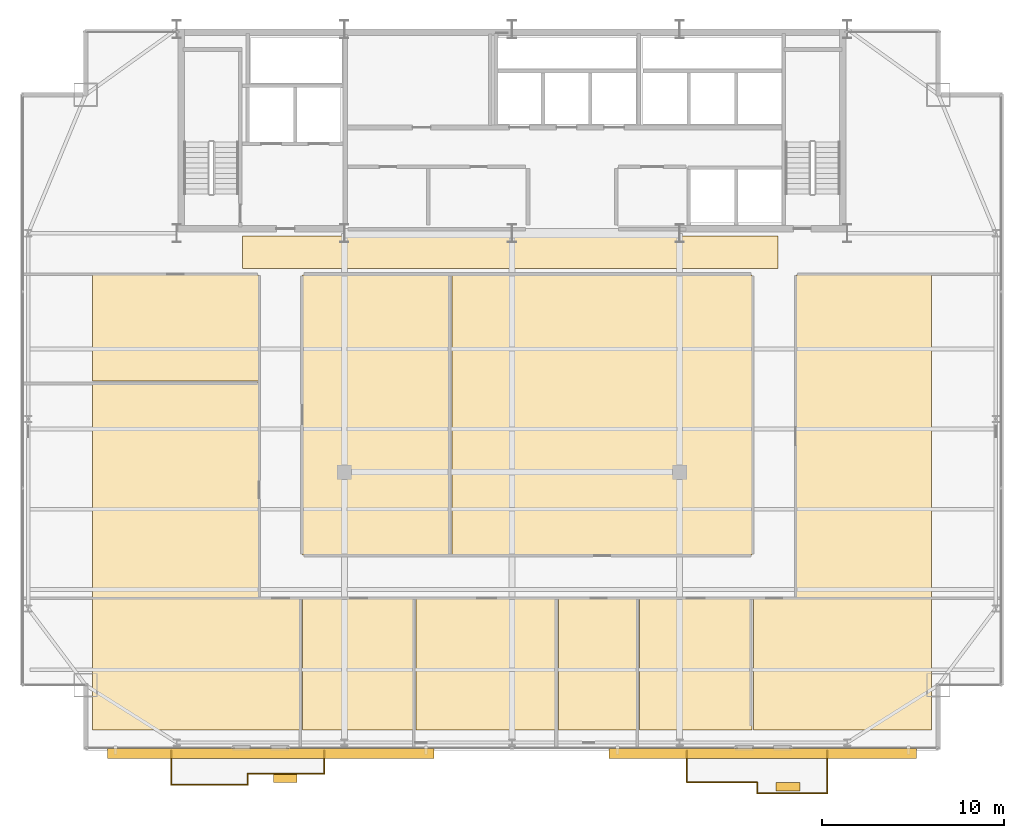
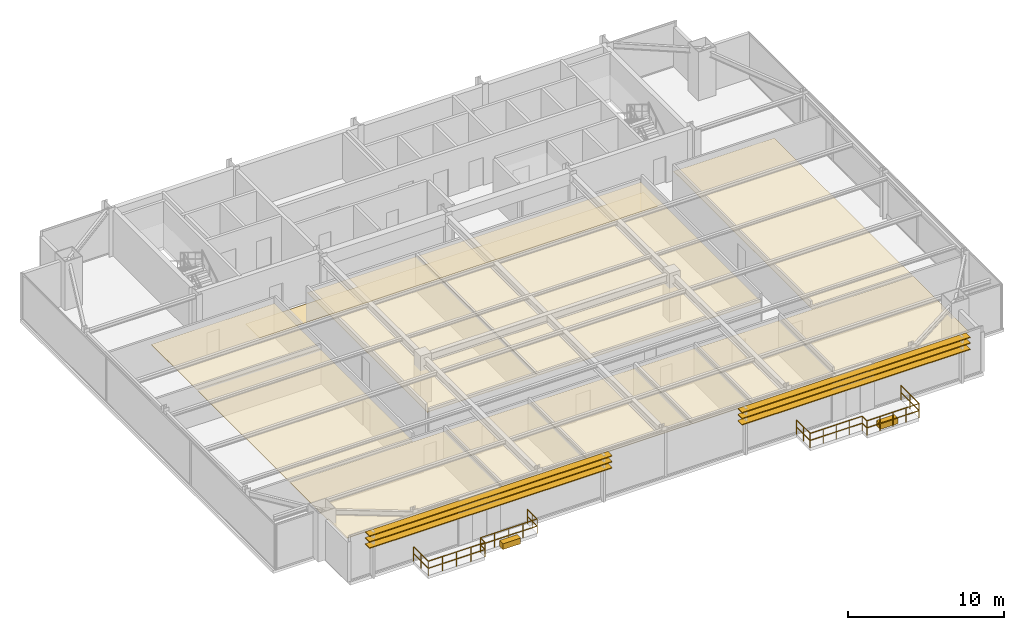
# One storey, part 29 of 30: 14 coverings, 10 railings, 6 shading devices.
"""IFC4 building model written with IfcOpenShell, lengths in metres."""

from ifc_helpers import new_model, si_unit, direction, frame, origin, origin_2d, place, context, subcontext, project, spatial, polyline, rectangle, outline, extrude, source, transform, mapped, material, layer, layer_set, type_object, type_shapes, element, save


model = new_model("IFC4")

# Units and contexts
model_context = context("Model", 3, precision=1e-05, world=origin(), true_north=direction((0.0, 1.0)))
body_context = subcontext(model_context, "Body", "Model", "MODEL_VIEW")
ifc_project = project(units=[si_unit("LENGTHUNIT", "METRE"), si_unit("AREAUNIT", "SQUARE_METRE"), si_unit("VOLUMEUNIT", "CUBIC_METRE"), si_unit("PLANEANGLEUNIT", "RADIAN"), si_unit("MASSUNIT", "GRAM", prefix="KILO")], contexts=[model_context])

# Site, building, storey
site_placement = place(None, origin())
site = spatial("IfcSite", under=ifc_project, at=site_placement, CompositionType="ELEMENT")
building_placement = place(site_placement, origin())
building = spatial("IfcBuilding", under=site, at=building_placement, Name="Varnel Quay Broadcast Tower", CompositionType="ELEMENT")
storey_placement = place(building_placement, frame((0.0, 0.0, 168.60009765625)))
storey = spatial("IfcBuildingStorey", under=building, at=storey_placement, Name="L41", CompositionType="ELEMENT", Elevation=168.60009765625)

# Coverings
ifc_material_1 = material(Name="Micro-Perforated Acoustic Ceiling Tile")
ifc_layer_1 = layer(ifc_material_1, 0.0400390625, Name="Micro-Perforated Acoustic Ceiling Tile")
ifc_layer_set_1 = layer_set([ifc_layer_1], Name="Micro-Perforated Acoustic Ceiling Tile")
covering_type_1 = type_object("IfcCoveringType", Name="Cov_AcousticCeiling", PredefinedType="CEILING", material=ifc_layer_set_1)
covering_1_placement = place(storey_placement, frame((0.0, 0.0, 2.579833984375)))
element("IfcCovering", 1, at=covering_1_placement, inside=storey, type_object=covering_type_1, Name="L41 Broadcast Newsroom 1 Acoustic Ceiling", PredefinedType="CEILING", context=body_context, shape_type="SweptSolid", body=[
    extrude(outline(polyline([(10.985107421875, 8.324951171875), (22.445068359375, 8.324951171875), (22.445068359375, 15.52490234375), (10.985107421875, 15.52490234375), (10.985107421875, 8.324951171875)])), origin(), (0.0, 0.0, 1.0), 0.0400390625),
])
covering_2_placement = place(storey_placement, frame((0.0, 0.0, 2.579833984375)))
element("IfcCovering", 2, at=covering_2_placement, inside=storey, type_object=covering_type_1, Name="L41 Assignment Desk 2 Acoustic Ceiling", PredefinedType="CEILING", context=body_context, shape_type="SweptSolid", body=[
    extrude(outline(polyline([(22.514892578125, 8.324951171875), (28.675048828125, 8.324951171875), (28.675048828125, 15.52490234375), (22.514892578125, 15.52490234375), (22.514892578125, 8.324951171875)])), origin(), (0.0, 0.0, 1.0), 0.0400390625),
])
covering_3_placement = place(storey_placement, frame((0.0, 0.0, 2.579833984375)))
element("IfcCovering", 3, at=covering_3_placement, inside=storey, type_object=covering_type_1, Name="L41 Editorial Boardroom 3 Acoustic Ceiling", PredefinedType="CEILING", context=body_context, shape_type="SweptSolid", body=[
    extrude(outline(polyline([(28.7451171875, 8.324951171875), (36.4951171875, 8.324951171875), (36.4951171875, 15.52490234375), (28.7451171875, 15.52490234375), (28.7451171875, 8.324951171875)])), origin(), (0.0, 0.0, 1.0), 0.0400390625),
])
covering_4_placement = place(storey_placement, frame((0.0, 0.0, 2.579833984375)))
element("IfcCovering", 4, at=covering_4_placement, inside=storey, type_object=covering_type_1, Name="L41 Break Kitchen 4 Acoustic Ceiling", PredefinedType="CEILING", context=body_context, shape_type="SweptSolid", body=[
    extrude(outline(polyline([(36.56494140625, 8.324951171875), (40.93505859375, 8.324951171875), (40.93505859375, 15.52490234375), (36.56494140625, 15.52490234375), (36.56494140625, 8.324951171875)])), origin(), (0.0, 0.0, 1.0), 0.0400390625),
])
covering_5_placement = place(storey_placement, frame((0.0, 0.0, 2.579833984375)))
element("IfcCovering", 5, at=covering_5_placement, inside=storey, type_object=covering_type_1, Name="L41 Press Green Lounge 5 Acoustic Ceiling", PredefinedType="CEILING", context=body_context, shape_type="SweptSolid", body=[
    extrude(outline(polyline([(41.0048828125, 8.324951171875), (47.175048828125, 8.324951171875), (47.175048828125, 15.52490234375), (41.0048828125, 15.52490234375), (41.0048828125, 8.324951171875)])), origin(), (0.0, 0.0, 1.0), 0.0400390625),
])
covering_6_placement = place(storey_placement, frame((0.0, 0.0, 2.579833984375)))
element("IfcCovering", 6, at=covering_6_placement, inside=storey, type_object=covering_type_1, Name="L41 Camera Locker Store 6 Acoustic Ceiling", PredefinedType="CEILING", context=body_context, shape_type="SweptSolid", body=[
    extrude(outline(polyline([(47.2451171875, 8.324951171875), (57.014892578125, 8.324951171875), (57.014892578125, 15.52490234375), (47.2451171875, 15.52490234375), (47.2451171875, 8.324951171875)])), origin(), (0.0, 0.0, 1.0), 0.0400390625),
])
covering_7_placement = place(storey_placement, frame((0.0, 0.0, 2.579833984375)))
element("IfcCovering", 7, at=covering_7_placement, inside=storey, type_object=covering_type_1, Name="L41 Broadcast Newsroom 7 Acoustic Ceiling", PredefinedType="CEILING", context=body_context, shape_type="SweptSolid", body=[
    extrude(outline(polyline([(10.985107421875, 15.594970703125), (20.094970703125, 15.594970703125), (20.094970703125, 27.4150390625), (10.985107421875, 27.4150390625), (10.985107421875, 15.594970703125)])), origin(), (0.0, 0.0, 1.0), 0.0400390625),
])
covering_8_placement = place(storey_placement, frame((0.0, 0.0, 2.579833984375)))
element("IfcCovering", 8, at=covering_8_placement, inside=storey, type_object=covering_type_1, Name="L41 Assignment Desk 8 Acoustic Ceiling", PredefinedType="CEILING", context=body_context, shape_type="SweptSolid", body=[
    extrude(outline(polyline([(10.985107421875, 27.485107421875), (20.094970703125, 27.485107421875), (20.094970703125, 33.31494140625), (10.985107421875, 33.31494140625), (10.985107421875, 27.485107421875)])), origin(), (0.0, 0.0, 1.0), 0.0400390625),
])
covering_9_placement = place(storey_placement, frame((0.0, 0.0, 2.579833984375)))
element("IfcCovering", 9, at=covering_9_placement, inside=storey, type_object=covering_type_1, Name="L41 Editorial Boardroom 9 Acoustic Ceiling", PredefinedType="CEILING", context=body_context, shape_type="SweptSolid", body=[
    extrude(outline(polyline([(22.514892578125, 17.945068359375), (30.635009765625, 17.945068359375), (30.635009765625, 33.31494140625), (22.514892578125, 33.31494140625), (22.514892578125, 17.945068359375)])), origin(), (0.0, 0.0, 1.0), 0.0400390625),
])
covering_10_placement = place(storey_placement, frame((0.0, 0.0, 2.579833984375)))
element("IfcCovering", 10, at=covering_10_placement, inside=storey, type_object=covering_type_1, Name="L41 Break Kitchen 10 Acoustic Ceiling", PredefinedType="CEILING", context=body_context, shape_type="SweptSolid", body=[
    extrude(outline(polyline([(30.705078125, 17.945068359375), (47.175048828125, 17.945068359375), (47.175048828125, 33.31494140625), (30.705078125, 33.31494140625), (30.705078125, 17.945068359375)])), origin(), (0.0, 0.0, 1.0), 0.0400390625),
])
covering_11_placement = place(storey_placement, frame((0.0, 0.0, 2.579833984375)))
element("IfcCovering", 11, at=covering_11_placement, inside=storey, type_object=covering_type_1, Name="L41 Press Green Lounge 11 Acoustic Ceiling", PredefinedType="CEILING", context=body_context, shape_type="SweptSolid", body=[
    extrude(outline(polyline([(49.594970703125, 15.594970703125), (57.014892578125, 15.594970703125), (57.014892578125, 33.31494140625), (49.594970703125, 33.31494140625), (49.594970703125, 15.594970703125)])), origin(), (0.0, 0.0, 1.0), 0.0400390625),
])
ifc_material_2 = material(Name="Polished Terrazzo & Broadcast Raised Flooring")
ifc_layer_2 = layer(ifc_material_2, 0.0400390625, Name="Polished Terrazzo & Broadcast Raised Flooring")
ifc_layer_set_2 = layer_set([ifc_layer_2], Name="Polished Terrazzo & Broadcast Raised Flooring")
covering_type_2 = type_object("IfcCoveringType", Name="Cov_TerrazzoFloor", PredefinedType="FLOORING", material=ifc_layer_set_2)
covering_12_placement = place(storey_placement, origin())
element("IfcCovering", 12, at=covering_12_placement, inside=storey, type_object=covering_type_2, Name="L41 Corridor Terrazzo Flooring", PredefinedType="FLOORING", context=body_context, shape_type="SweptSolid", body=[
    extrude(outline(polyline([(19.199951171875, 33.64990234375), (48.60009765625, 33.64990234375), (48.60009765625, 35.449951171875), (19.199951171875, 35.449951171875), (19.199951171875, 33.64990234375)])), origin(), (0.0, 0.0, 1.0), 0.039794921875),
])

# Railings
ifc_material_3 = material(Name="Anodised Bronze Aluminium 6063-T6", Category="aluminium")
railing_type = type_object("IfcRailingType", Name="Rail_Balustrade1150", PredefinedType="BALUSTRADE", material=ifc_material_3)
railing_1_placement = place(storey_placement, frame((15.300048828125, 5.3330078125, 0.0)))
element("IfcRailing", 13, at=railing_1_placement, inside=storey, type_object=railing_type, Name="L41 Terrace 1 Guard 1", PredefinedType="BALUSTRADE", context=body_context, shape_type="SweptSolid", body=[
    extrude(rectangle(XDim=0.048095703125, YDim=0.048095703125, at=origin_2d()), frame((0.0, 0.0, 1.1259765625), z_axis=(1.0, 0.0, 0.0), x_axis=(0.0, 1.0, 0.0)), (0.0, 0.0, 1.0), 4.199951171875),
    extrude(rectangle(XDim=0.048095703125, YDim=0.048095703125, at=origin_2d()), frame((0.0, 0.0, 0.574951171875), z_axis=(1.0, 0.0, 0.0), x_axis=(0.0, 1.0, 0.0)), (0.0, 0.0, 1.0), 4.199951171875),
    extrude(rectangle(XDim=0.0419921875, YDim=0.0419921875, at=origin_2d()), origin(), (0.0, 0.0, 1.0), 1.101806640625),
    extrude(rectangle(XDim=0.0419921875, YDim=0.0419921875, at=origin_2d()), frame((1.050048828125, 0.0, 0.0)), (0.0, 0.0, 1.0), 1.101806640625),
    extrude(rectangle(XDim=0.0419921875, YDim=0.0419921875, at=origin_2d()), frame((2.10009765625, 0.0, 0.0)), (0.0, 0.0, 1.0), 1.101806640625),
    extrude(rectangle(XDim=0.0419921875, YDim=0.0419921875, at=origin_2d()), frame((3.14990234375, 0.0, 0.0)), (0.0, 0.0, 1.0), 1.101806640625),
    extrude(rectangle(XDim=0.0419921875, YDim=0.0419921875, at=origin_2d()), frame((4.199951171875, 0.0, 0.0)), (0.0, 0.0, 1.0), 1.101806640625),
])
railing_2_placement = place(storey_placement, frame((19.5, 5.3330078125, 0.0)))
element("IfcRailing", 14, at=railing_2_placement, inside=storey, type_object=railing_type, Name="L41 Terrace 1 Guard 2", PredefinedType="BALUSTRADE", context=body_context, shape_type="SweptSolid", body=[
    extrude(rectangle(XDim=0.048095703125, YDim=0.048095703125, at=origin_2d()), frame((0.0, 0.0, 1.1259765625), z_axis=(0.0, 1.0, 0.0), x_axis=(-1.0, 0.0, 0.0)), (0.0, 0.0, 1.0), 0.60009765625),
    extrude(rectangle(XDim=0.048095703125, YDim=0.048095703125, at=origin_2d()), frame((0.0, 0.0, 0.574951171875), z_axis=(0.0, 1.0, 0.0), x_axis=(-1.0, 0.0, 0.0)), (0.0, 0.0, 1.0), 0.60009765625),
    extrude(rectangle(XDim=0.0419921875, YDim=0.0419921875, at=origin_2d()), origin(), (0.0, 0.0, 1.0), 1.101806640625),
    extrude(rectangle(XDim=0.0419921875, YDim=0.0419921875, at=origin_2d()), frame((0.0, 0.60009765625, 0.0)), (0.0, 0.0, 1.0), 1.101806640625),
])
railing_3_placement = place(storey_placement, frame((19.5, 5.93310546875, 0.0)))
element("IfcRailing", 15, at=railing_3_placement, inside=storey, type_object=railing_type, Name="L41 Terrace 1 Guard 3", PredefinedType="BALUSTRADE", context=body_context, shape_type="SweptSolid", body=[
    extrude(rectangle(XDim=0.048095703125, YDim=0.048095703125, at=origin_2d()), frame((0.0, 0.0, 1.1259765625), z_axis=(1.0, 0.0, 0.0), x_axis=(0.0, 1.0, 0.0)), (0.0, 0.0, 1.0), 4.199951171875),
    extrude(rectangle(XDim=0.048095703125, YDim=0.048095703125, at=origin_2d()), frame((0.0, 0.0, 0.574951171875), z_axis=(1.0, 0.0, 0.0), x_axis=(0.0, 1.0, 0.0)), (0.0, 0.0, 1.0), 4.199951171875),
    extrude(rectangle(XDim=0.0419921875, YDim=0.0419921875, at=origin_2d()), origin(), (0.0, 0.0, 1.0), 1.101806640625),
    extrude(rectangle(XDim=0.0419921875, YDim=0.0419921875, at=origin_2d()), frame((1.050048828125, 0.0, 0.0)), (0.0, 0.0, 1.0), 1.101806640625),
    extrude(rectangle(XDim=0.0419921875, YDim=0.0419921875, at=origin_2d()), frame((2.10009765625, 0.0, 0.0)), (0.0, 0.0, 1.0), 1.101806640625),
    extrude(rectangle(XDim=0.0419921875, YDim=0.0419921875, at=origin_2d()), frame((3.14990234375, 0.0, 0.0)), (0.0, 0.0, 1.0), 1.101806640625),
    extrude(rectangle(XDim=0.0419921875, YDim=0.0419921875, at=origin_2d()), frame((4.199951171875, 0.0, 0.0)), (0.0, 0.0, 1.0), 1.101806640625),
])
railing_4_placement = place(storey_placement, frame((23.699951171875, 5.93310546875, 0.0)))
element("IfcRailing", 16, at=railing_4_placement, inside=storey, type_object=railing_type, Name="L41 Terrace 1 Guard 4", PredefinedType="BALUSTRADE", context=body_context, shape_type="SweptSolid", body=[
    extrude(rectangle(XDim=0.048095703125, YDim=0.048095703125, at=origin_2d()), frame((0.0, 0.0, 1.1259765625), z_axis=(0.0, 1.0, 0.0), x_axis=(-1.0, 0.0, 0.0)), (0.0, 0.0, 1.0), 1.266845703125),
    extrude(rectangle(XDim=0.048095703125, YDim=0.048095703125, at=origin_2d()), frame((0.0, 0.0, 0.574951171875), z_axis=(0.0, 1.0, 0.0), x_axis=(-1.0, 0.0, 0.0)), (0.0, 0.0, 1.0), 1.266845703125),
    extrude(rectangle(XDim=0.0419921875, YDim=0.0419921875, at=origin_2d()), origin(), (0.0, 0.0, 1.0), 1.101806640625),
    extrude(rectangle(XDim=0.0419921875, YDim=0.0419921875, at=origin_2d()), frame((0.0, 0.63330078125, 0.0)), (0.0, 0.0, 1.0), 1.101806640625),
    extrude(rectangle(XDim=0.0419921875, YDim=0.0419921875, at=origin_2d()), frame((0.0, 1.266845703125, 0.0)), (0.0, 0.0, 1.0), 1.101806640625),
])
railing_5_placement = place(storey_placement, frame((15.300048828125, 7.199951171875, 0.0)))
element("IfcRailing", 17, at=railing_5_placement, inside=storey, type_object=railing_type, Name="L41 Terrace 1 Guard 6", PredefinedType="BALUSTRADE", context=body_context, shape_type="SweptSolid", body=[
    extrude(rectangle(XDim=0.048095703125, YDim=0.048095703125, at=origin_2d()), frame((0.0, 0.0, 1.1259765625), z_axis=(0.0, -1.0, 0.0), x_axis=(1.0, 0.0, 0.0)), (0.0, 0.0, 1.0), 1.866943359375),
    extrude(rectangle(XDim=0.048095703125, YDim=0.048095703125, at=origin_2d()), frame((0.0, 0.0, 0.574951171875), z_axis=(0.0, -1.0, 0.0), x_axis=(1.0, 0.0, 0.0)), (0.0, 0.0, 1.0), 1.866943359375),
    extrude(rectangle(XDim=0.0419921875, YDim=0.0419921875, at=origin_2d()), origin(), (0.0, 0.0, 1.0), 1.101806640625),
    extrude(rectangle(XDim=0.0419921875, YDim=0.0419921875, at=origin_2d()), frame((0.0, -0.93359375, 0.0)), (0.0, 0.0, 1.0), 1.101806640625),
    extrude(rectangle(XDim=0.0419921875, YDim=0.0419921875, at=origin_2d()), frame((0.0, -1.866943359375, 0.0)), (0.0, 0.0, 1.0), 1.101806640625),
])
railing_6_placement = place(storey_placement, frame((43.60009765625, 5.467041015625, 0.0)))
element("IfcRailing", 18, at=railing_6_placement, inside=storey, type_object=railing_type, Name="L41 Terrace 2 Guard 1", PredefinedType="BALUSTRADE", context=body_context, shape_type="SweptSolid", body=[
    extrude(rectangle(XDim=0.048095703125, YDim=0.048095703125, at=origin_2d()), frame((0.0, 0.0, 1.1259765625), z_axis=(1.0, 0.0, 0.0), x_axis=(0.0, 1.0, 0.0)), (0.0, 0.0, 1.0), 3.849853515625),
    extrude(rectangle(XDim=0.048095703125, YDim=0.048095703125, at=origin_2d()), frame((0.0, 0.0, 0.574951171875), z_axis=(1.0, 0.0, 0.0), x_axis=(0.0, 1.0, 0.0)), (0.0, 0.0, 1.0), 3.849853515625),
    extrude(rectangle(XDim=0.0419921875, YDim=0.0419921875, at=origin_2d()), origin(), (0.0, 0.0, 1.0), 1.101806640625),
    extrude(rectangle(XDim=0.0419921875, YDim=0.0419921875, at=origin_2d()), frame((0.96240234375, 0.0, 0.0)), (0.0, 0.0, 1.0), 1.101806640625),
    extrude(rectangle(XDim=0.0419921875, YDim=0.0419921875, at=origin_2d()), frame((1.9248046875, 0.0, 0.0)), (0.0, 0.0, 1.0), 1.101806640625),
    extrude(rectangle(XDim=0.0419921875, YDim=0.0419921875, at=origin_2d()), frame((2.887451171875, 0.0, 0.0)), (0.0, 0.0, 1.0), 1.101806640625),
    extrude(rectangle(XDim=0.0419921875, YDim=0.0419921875, at=origin_2d()), frame((3.849853515625, 0.0, 0.0)), (0.0, 0.0, 1.0), 1.101806640625),
])
railing_7_placement = place(storey_placement, frame((47.449951171875, 5.467041015625, 0.0)))
element("IfcRailing", 19, at=railing_7_placement, inside=storey, type_object=railing_type, Name="L41 Terrace 2 Guard 2", PredefinedType="BALUSTRADE", context=body_context, shape_type="SweptSolid", body=[
    extrude(rectangle(XDim=0.048095703125, YDim=0.048095703125, at=origin_2d()), frame((0.0, 0.0, 1.1259765625), z_axis=(0.0, -1.0, 0.0), x_axis=(1.0, 0.0, 0.0)), (0.0, 0.0, 1.0), 0.60009765625),
    extrude(rectangle(XDim=0.048095703125, YDim=0.048095703125, at=origin_2d()), frame((0.0, 0.0, 0.574951171875), z_axis=(0.0, -1.0, 0.0), x_axis=(1.0, 0.0, 0.0)), (0.0, 0.0, 1.0), 0.60009765625),
    extrude(rectangle(XDim=0.0419921875, YDim=0.0419921875, at=origin_2d()), origin(), (0.0, 0.0, 1.0), 1.101806640625),
    extrude(rectangle(XDim=0.0419921875, YDim=0.0419921875, at=origin_2d()), frame((0.0, -0.60009765625, 0.0)), (0.0, 0.0, 1.0), 1.101806640625),
])
railing_8_placement = place(storey_placement, frame((47.449951171875, 4.866943359375, 0.0)))
element("IfcRailing", 20, at=railing_8_placement, inside=storey, type_object=railing_type, Name="L41 Terrace 2 Guard 3", PredefinedType="BALUSTRADE", context=body_context, shape_type="SweptSolid", body=[
    extrude(rectangle(XDim=0.048095703125, YDim=0.048095703125, at=origin_2d()), frame((0.0, 0.0, 1.1259765625), z_axis=(1.0, 0.0, 0.0), x_axis=(0.0, 1.0, 0.0)), (0.0, 0.0, 1.0), 3.85009765625),
    extrude(rectangle(XDim=0.048095703125, YDim=0.048095703125, at=origin_2d()), frame((0.0, 0.0, 0.574951171875), z_axis=(1.0, 0.0, 0.0), x_axis=(0.0, 1.0, 0.0)), (0.0, 0.0, 1.0), 3.85009765625),
    extrude(rectangle(XDim=0.0419921875, YDim=0.0419921875, at=origin_2d()), origin(), (0.0, 0.0, 1.0), 1.101806640625),
    extrude(rectangle(XDim=0.0419921875, YDim=0.0419921875, at=origin_2d()), frame((0.96240234375, 0.0, 0.0)), (0.0, 0.0, 1.0), 1.101806640625),
    extrude(rectangle(XDim=0.0419921875, YDim=0.0419921875, at=origin_2d()), frame((1.925048828125, 0.0, 0.0)), (0.0, 0.0, 1.0), 1.101806640625),
    extrude(rectangle(XDim=0.0419921875, YDim=0.0419921875, at=origin_2d()), frame((2.8876953125, 0.0, 0.0)), (0.0, 0.0, 1.0), 1.101806640625),
    extrude(rectangle(XDim=0.0419921875, YDim=0.0419921875, at=origin_2d()), frame((3.85009765625, 0.0, 0.0)), (0.0, 0.0, 1.0), 1.101806640625),
])
railing_9_placement = place(storey_placement, frame((51.300048828125, 4.866943359375, 0.0)))
element("IfcRailing", 21, at=railing_9_placement, inside=storey, type_object=railing_type, Name="L41 Terrace 2 Guard 4", PredefinedType="BALUSTRADE", context=body_context, shape_type="SweptSolid", body=[
    extrude(rectangle(XDim=0.048095703125, YDim=0.048095703125, at=origin_2d()), frame((0.0, 0.0, 1.1259765625), z_axis=(0.0, 1.0, 0.0), x_axis=(-1.0, 0.0, 0.0)), (0.0, 0.0, 1.0), 2.3330078125),
    extrude(rectangle(XDim=0.048095703125, YDim=0.048095703125, at=origin_2d()), frame((0.0, 0.0, 0.574951171875), z_axis=(0.0, 1.0, 0.0), x_axis=(-1.0, 0.0, 0.0)), (0.0, 0.0, 1.0), 2.3330078125),
    extrude(rectangle(XDim=0.0419921875, YDim=0.0419921875, at=origin_2d()), origin(), (0.0, 0.0, 1.0), 1.101806640625),
    extrude(rectangle(XDim=0.0419921875, YDim=0.0419921875, at=origin_2d()), frame((0.0, 1.16650390625, 0.0)), (0.0, 0.0, 1.0), 1.101806640625),
    extrude(rectangle(XDim=0.0419921875, YDim=0.0419921875, at=origin_2d()), frame((0.0, 2.3330078125, 0.0)), (0.0, 0.0, 1.0), 1.101806640625),
])
railing_10_placement = place(storey_placement, frame((43.60009765625, 7.199951171875, 0.0)))
element("IfcRailing", 22, at=railing_10_placement, inside=storey, type_object=railing_type, Name="L41 Terrace 2 Guard 6", PredefinedType="BALUSTRADE", context=body_context, shape_type="SweptSolid", body=[
    extrude(rectangle(XDim=0.048095703125, YDim=0.048095703125, at=origin_2d()), frame((0.0, 0.0, 1.1259765625), z_axis=(0.0, -1.0, 0.0), x_axis=(1.0, 0.0, 0.0)), (0.0, 0.0, 1.0), 1.73291015625),
    extrude(rectangle(XDim=0.048095703125, YDim=0.048095703125, at=origin_2d()), frame((0.0, 0.0, 0.574951171875), z_axis=(0.0, -1.0, 0.0), x_axis=(1.0, 0.0, 0.0)), (0.0, 0.0, 1.0), 1.73291015625),
    extrude(rectangle(XDim=0.0419921875, YDim=0.0419921875, at=origin_2d()), origin(), (0.0, 0.0, 1.0), 1.101806640625),
    extrude(rectangle(XDim=0.0419921875, YDim=0.0419921875, at=origin_2d()), frame((0.0, -0.866455078125, 0.0)), (0.0, 0.0, 1.0), 1.101806640625),
    extrude(rectangle(XDim=0.0419921875, YDim=0.0419921875, at=origin_2d()), frame((0.0, -1.73291015625, 0.0)), (0.0, 0.0, 1.0), 1.101806640625),
])

# Coverings
ifc_material_4 = material(Name="Bronze-Terracotta Extruded Ceramic Blade", Category="masonry")
ifc_layer_3 = layer(ifc_material_4, 0.449951171875, Name="Bronze-Terracotta Extruded Ceramic Blade")
ifc_layer_set_3 = layer_set([ifc_layer_3], Name="Bronze-Terracotta Extruded Ceramic Blade")
covering_type_3 = type_object("IfcCoveringType", Name="Cov_BronzePlanter", PredefinedType="CLADDING", material=ifc_layer_set_3)
shared_shape_1 = source(origin(), body_context, "Body", "SweptSolid", [
    extrude(rectangle(XDim=1.300048828125, YDim=0.449951171875, at=origin_2d()), origin(), (0.0, 0.0, 1.0), 0.449951171875),
])
type_shapes(covering_type_3, [shared_shape_1])
for number, where, z_axis, x_axis, name in (
    (23, (21.550048828125, 5.68310546875, 0.0), (0.0, 0.0, 1.0), (1.0, 0.0, 0.0), "L41 Terrace 1 Bronze Planter"),
    (24, (49.14990234375, 5.217041015625, 0.0), (0.0, 0.0, 1.0), (1.0, 0.0, 0.0), "L41 Terrace 2 Bronze Planter"),
):
    element("IfcCovering", number, at=place(storey_placement, frame(where, z_axis=z_axis, x_axis=x_axis)), inside=storey, type_object=covering_type_3, Name=name, PredefinedType="CLADDING", context=body_context, shape_type="MappedRepresentation", body=[
        mapped(shared_shape_1, transform((0.0, 0.0, 0.0), x_axis=(1.0, 0.0, 0.0), y_axis=(0.0, 1.0, 0.0), z_axis=(0.0, 0.0, 1.0), scale=1.0)),
    ])

# Shading devices
ifc_layer_4 = layer(ifc_material_4, 0.06494140625, Name="Bronze-Terracotta Extruded Ceramic Blade")
ifc_layer_set_4 = layer_set([ifc_layer_4], Name="Bronze-Terracotta Extruded Ceramic Blade")
shading_device_type = type_object("IfcShadingDeviceType", Name="Shade_LouvreBlade550", PredefinedType="JALOUSIE", material=ifc_layer_set_4)
shared_shape_2 = source(origin(), body_context, "Body", "SweptSolid", [
    extrude(rectangle(XDim=17.928955078125, YDim=0.550048828125, at=origin_2d()), origin(), (0.0, 0.0, 1.0), 0.06494140625),
])
for number, where, z_axis, x_axis, name in (
    (25, (20.763916015625, 7.06005859375, 2.447509765625), (0.0, 0.0, 1.0), (1.0, 0.0, 0.0), "L41 Lobe 1 Horizontal Louvre Blade 1"),
    (26, (20.763916015625, 7.06005859375, 2.927490234375), (0.0, 0.0, 1.0), (1.0, 0.0, 0.0), "L41 Lobe 1 Horizontal Louvre Blade 2"),
    (27, (20.763916015625, 7.06005859375, 3.387451171875), (0.0, 0.0, 1.0), (1.0, 0.0, 0.0), "L41 Lobe 1 Horizontal Louvre Blade 3"),
):
    element("IfcShadingDevice", number, at=place(storey_placement, frame(where, z_axis=z_axis, x_axis=x_axis)), inside=storey, type_object=shading_device_type, Name=name, PredefinedType="JALOUSIE", context=body_context, shape_type="MappedRepresentation", body=[
        mapped(shared_shape_2, transform((0.0, 0.0, 0.0), x_axis=(1.0, 0.0, 0.0), y_axis=(0.0, 1.0, 0.0), z_axis=(0.0, 0.0, 1.0), scale=1.0)),
    ])
shared_shape_3 = source(origin(), body_context, "Body", "SweptSolid", [
    extrude(rectangle(XDim=16.87109375, YDim=0.550048828125, at=origin_2d()), origin(), (0.0, 0.0, 1.0), 0.06494140625),
])
type_shapes(shading_device_type, [shared_shape_2, shared_shape_3])
for number, where, z_axis, x_axis, name in (
    (28, (47.763916015625, 7.06005859375, 2.447509765625), (0.0, 0.0, 1.0), (1.0, 0.0, 0.0), "L41 Lobe 2 Horizontal Louvre Blade 1"),
    (29, (47.763916015625, 7.06005859375, 2.927490234375), (0.0, 0.0, 1.0), (1.0, 0.0, 0.0), "L41 Lobe 2 Horizontal Louvre Blade 2"),
    (30, (47.763916015625, 7.06005859375, 3.387451171875), (0.0, 0.0, 1.0), (1.0, 0.0, 0.0), "L41 Lobe 2 Horizontal Louvre Blade 3"),
):
    element("IfcShadingDevice", number, at=place(storey_placement, frame(where, z_axis=z_axis, x_axis=x_axis)), inside=storey, type_object=shading_device_type, Name=name, PredefinedType="JALOUSIE", context=body_context, shape_type="MappedRepresentation", body=[
        mapped(shared_shape_3, transform((0.0, 0.0, 0.0), x_axis=(1.0, 0.0, 0.0), y_axis=(0.0, 1.0, 0.0), z_axis=(0.0, 0.0, 1.0), scale=1.0)),
    ])

save(model, "model.ifc")
